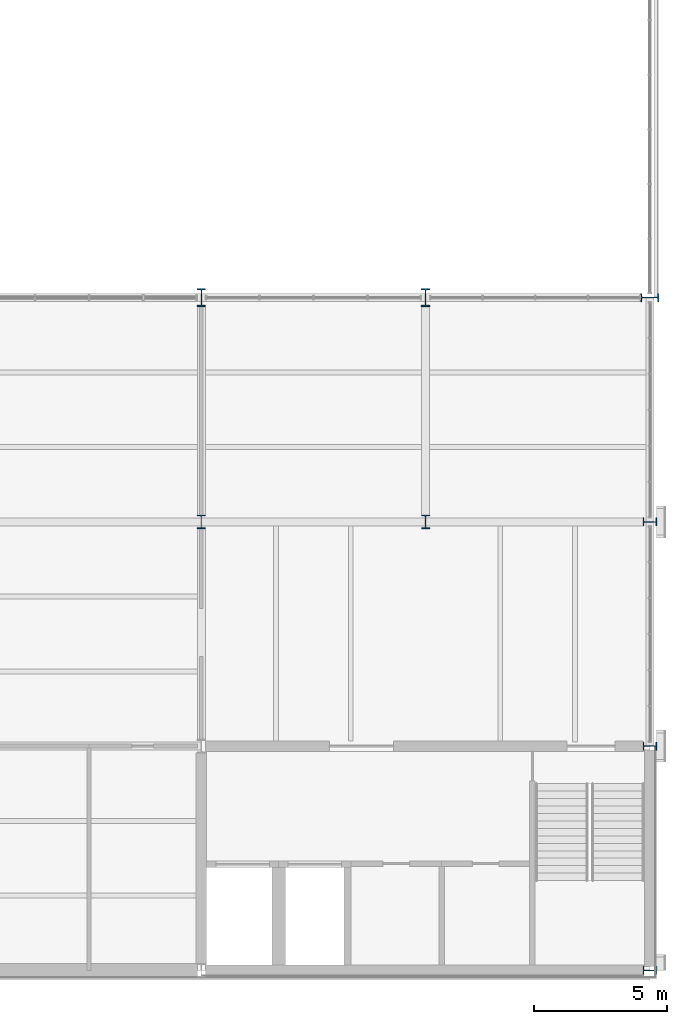
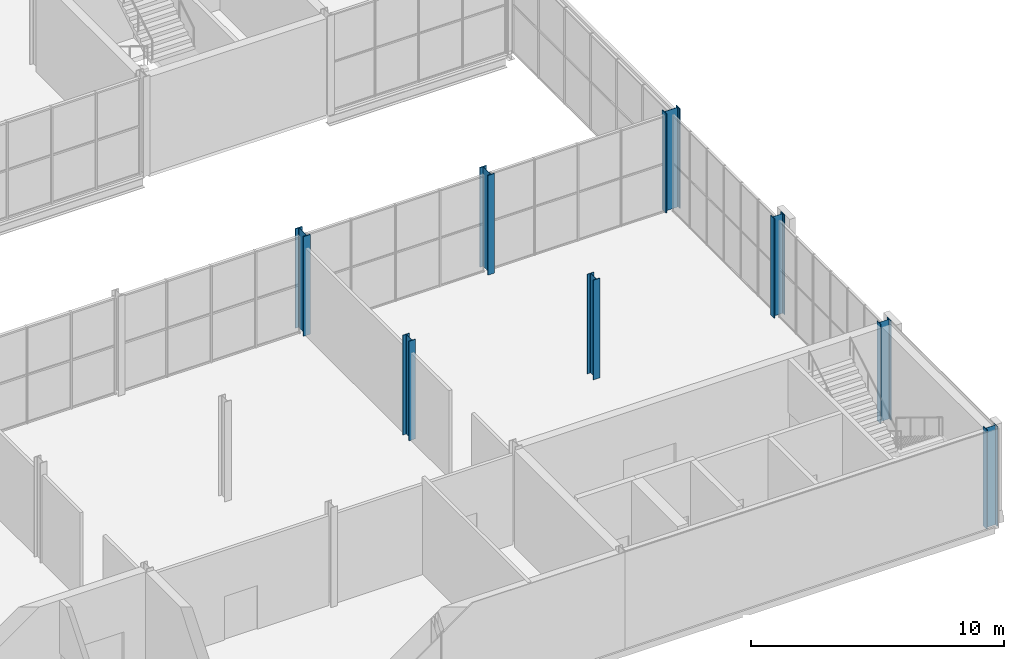
# One storey, part 6 of 61: 8 columns.
"""IFC4 building model written with IfcOpenShell, lengths in metres."""

from ifc_helpers import new_model, si_unit, direction, frame, origin, origin_2d, place, context, subcontext, project, spatial, i_section, extrude, material, material_profile, profile_set, type_object, element, save


model = new_model("IFC4")

# Units and contexts
model_context = context("Model", 3, precision=1e-05, world=origin(), true_north=direction((0.0, 1.0)))
body_context = subcontext(model_context, "Body", "Model", "MODEL_VIEW")
ifc_project = project(units=[si_unit("LENGTHUNIT", "METRE"), si_unit("AREAUNIT", "SQUARE_METRE"), si_unit("VOLUMEUNIT", "CUBIC_METRE"), si_unit("PLANEANGLEUNIT", "RADIAN"), si_unit("MASSUNIT", "GRAM", prefix="KILO")], contexts=[model_context])

# Site, building, storey
site_placement = place(None, origin())
site = spatial("IfcSite", under=ifc_project, at=site_placement, CompositionType="ELEMENT")
building_placement = place(site_placement, origin())
building = spatial("IfcBuilding", under=site, at=building_placement, Name="Galleria Vessillo Department Store", CompositionType="ELEMENT")
storey_placement = place(building_placement, frame((0.0, 0.0, 11.39990234375)))
storey = spatial("IfcBuildingStorey", under=building, at=storey_placement, Name="L02", CompositionType="ELEMENT", Elevation=11.39990234375)

# Columns
ifc_material_1 = material(Name="Steel S355 J2", Category="steel")
ifc_material_profile_1 = material_profile(ifc_material_1, i_section(OverallWidth=0.300048828125, OverallDepth=0.5, WebThickness=0.014404296875, FlangeThickness=0.028076171875, FilletRadius=0.027099609375, at=origin_2d()), Name="HEB 500")
ifc_profile_set_1 = profile_set([ifc_material_profile_1], Name="Steel S355 J2")
column_type_1 = type_object("IfcColumnType", Name="Steel column HEB 500 CP1", PredefinedType="COLUMN", material=ifc_profile_set_1)
for number, where, z_axis, x_axis, name in (
    (1, (100.800048828125, 16.800048828125, 0.0), (0.0, 0.0, 1.0), (1.0, 0.0, 0.0), "S-COL-L02-13-C"),
    (2, (109.199951171875, 16.800048828125, 0.0), (0.0, 0.0, 1.0), (1.0, 0.0, 0.0), "S-COL-L02-14-C"),
    (3, (117.60009765625, 0.0, 0.0), (0.0, 0.0, 1.0), (0.0, 1.0, 0.0), "S-COL-L02-15-A"),
    (4, (117.60009765625, 8.39990234375, 0.0), (0.0, 0.0, 1.0), (0.0, 1.0, 0.0), "S-COL-L02-15-B"),
    (5, (117.60009765625, 16.800048828125, 0.0), (0.0, 0.0, 1.0), (0.0, 1.0, 0.0), "S-COL-L02-15-C"),
):
    element("IfcColumn", number, at=place(storey_placement, frame(where, z_axis=z_axis, x_axis=x_axis)), inside=storey, type_object=column_type_1, Name=name, PredefinedType="COLUMN", context=body_context, shape_type="SweptSolid", body=[
        extrude(i_section(OverallWidth=0.300048828125, OverallDepth=0.5, WebThickness=0.014404296875, FlangeThickness=0.028076171875, FilletRadius=0.027099609375, at=origin_2d()), origin(), (0.0, 0.0, 1.0), 4.800048828125),
    ])
ifc_material_2 = material(Name="Steel S355 J2", Category="steel")
ifc_material_profile_2 = material_profile(ifc_material_2, i_section(OverallWidth=0.304931640625, OverallDepth=0.66796875, WebThickness=0.02099609375, FlangeThickness=0.0400390625, FilletRadius=0.027099609375, at=origin_2d()), Name="HEM 650")
ifc_profile_set_2 = profile_set([ifc_material_profile_2], Name="Steel S355 J2")
column_type_2 = type_object("IfcColumnType", Name="Steel column HEM 650 CV3", PredefinedType="COLUMN", material=ifc_profile_set_2)
for number, where, z_axis, x_axis, name in (
    (6, (100.800048828125, 25.199951171875, 0.0), (0.0, 0.0, 1.0), (1.0, 0.0, 0.0), "S-COL-L02-13-D"),
    (7, (109.199951171875, 25.199951171875, 0.0), (0.0, 0.0, 1.0), (1.0, 0.0, 0.0), "S-COL-L02-14-D"),
    (8, (117.60009765625, 25.199951171875, 0.0), (0.0, 0.0, 1.0), (0.0, 1.0, 0.0), "S-COL-L02-15-D"),
):
    element("IfcColumn", number, at=place(storey_placement, frame(where, z_axis=z_axis, x_axis=x_axis)), inside=storey, type_object=column_type_2, Name=name, PredefinedType="COLUMN", context=body_context, shape_type="SweptSolid", body=[
        extrude(i_section(OverallWidth=0.304931640625, OverallDepth=0.66796875, WebThickness=0.02099609375, FlangeThickness=0.0400390625, FilletRadius=0.027099609375, at=origin_2d()), origin(), (0.0, 0.0, 1.0), 4.800048828125),
    ])

save(model, "model.ifc")
